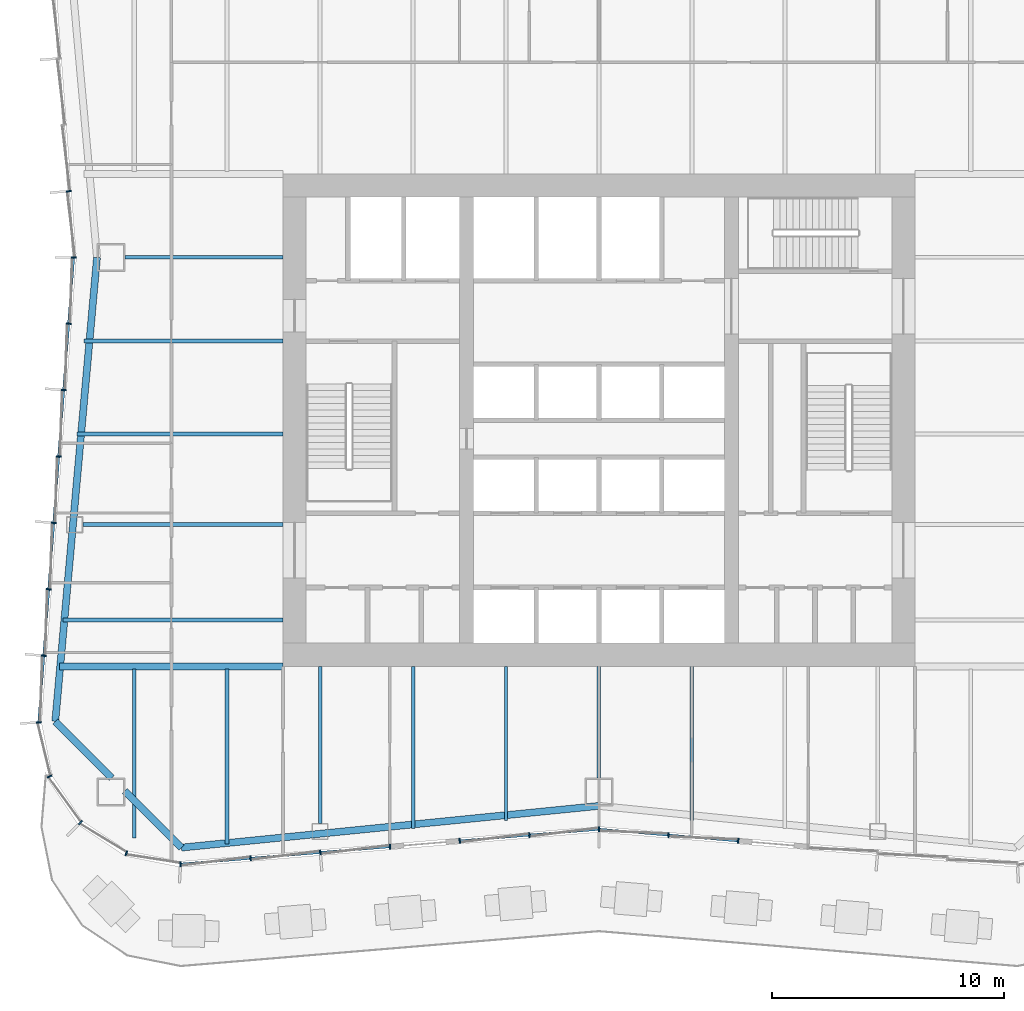
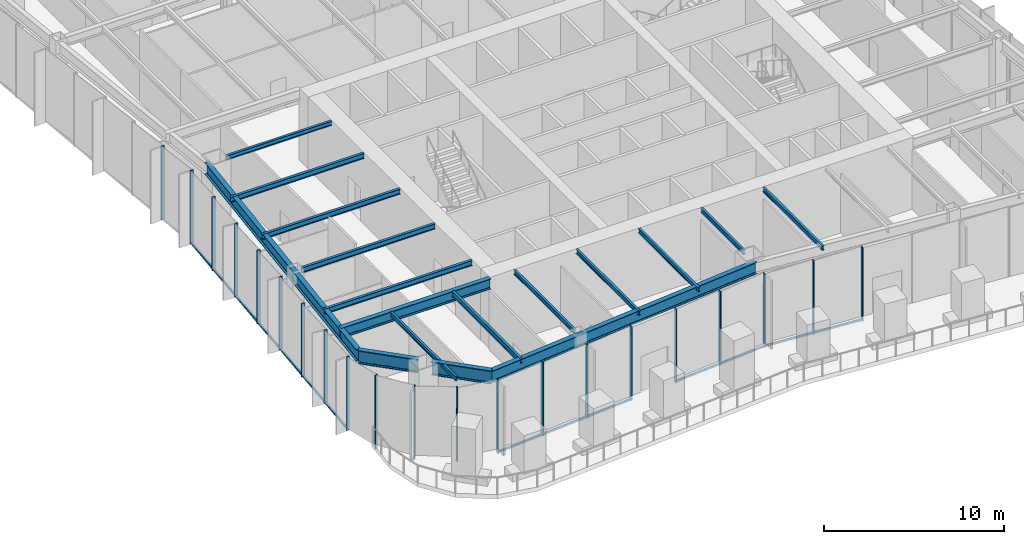
# One storey, part 2 of 15: 25 members, 17 beams, 3 elements without a shape of their own.
"""IFC4 building model written with IfcOpenShell, lengths in metres."""

from ifc_helpers import new_model, si_unit, direction, frame, origin, origin_2d, place, context, subcontext, project, spatial, rectangle, i_section, extrude, material, material_profile, profile_set, type_object, element, aggregate, save


model = new_model("IFC4")

# Units and contexts
model_context = context("Model", 3, precision=1e-05, world=origin(), true_north=direction((0.0, 1.0)))
body_context = subcontext(model_context, "Body", "Model", "MODEL_VIEW")
ifc_project = project(units=[si_unit("LENGTHUNIT", "METRE"), si_unit("AREAUNIT", "SQUARE_METRE"), si_unit("VOLUMEUNIT", "CUBIC_METRE"), si_unit("PLANEANGLEUNIT", "RADIAN"), si_unit("MASSUNIT", "GRAM", prefix="KILO")], contexts=[model_context])

# Site, building, storey
site_placement = place(None, origin())
site = spatial("IfcSite", under=ifc_project, at=site_placement, CompositionType="ELEMENT")
building_placement = place(site_placement, origin())
building = spatial("IfcBuilding", under=site, at=building_placement, Name="Verdant Reach Tower", CompositionType="ELEMENT")
storey_placement = place(building_placement, frame((0.0, 0.0, 121.0)))
storey = spatial("IfcBuildingStorey", under=building, at=storey_placement, Name="L27", CompositionType="ELEMENT", Elevation=121.0)

# Curtain wall, members
ifc_material_1 = material(Name="Anodised aluminium", Category="aluminium")
curtain_wall_type = type_object("IfcCurtainWallType", Name="EN-CW SYSTEM Z2", PredefinedType="NOTDEFINED", material=ifc_material_1)
curtain_wall_1_placement = place(storey_placement, origin())
curtain_wall_1 = element("IfcCurtainWall", 1, at=curtain_wall_1_placement, inside=storey, type_object=curtain_wall_type, Name="Curtain wall west, L27", PredefinedType="NOTDEFINED")
ifc_material_profile_1 = material_profile(ifc_material_1, rectangle(XDim=0.2119140625, YDim=0.06396484375, at=origin_2d()), Name="Mullion 64x212")
ifc_profile_set_1 = profile_set([ifc_material_profile_1], Name="Anodised aluminium")
member_type_1 = type_object("IfcMemberType", Name="EN-MULLION Z2", PredefinedType="MULLION", material=ifc_profile_set_1)
member_1_placement = place(storey_placement, frame((-22.820068359375, 37.84912109375, -0.35009765625), z_axis=(0.0, 0.0, 1.0), x_axis=(-0.997199309888, -0.074789948245, 0.0)))
member_1 = element("IfcMember", 2, at=member_1_placement, type_object=member_type_1, Name="Mullion west face part 1 7, L27", PredefinedType="MULLION", context=body_context, shape_type="SweptSolid", body=[
    extrude(rectangle(XDim=0.2119140625, YDim=0.06396484375, at=origin_2d()), origin(), (0.0, 0.0, 1.0), 5.0),
])
member_2_placement = place(storey_placement, frame((-22.60595703125, 35.0, -0.35009765625), z_axis=(0.0, 0.0, 1.0), x_axis=(-1.0, 0.0, 0.0)))
member_2 = element("IfcMember", 3, at=member_2_placement, type_object=member_type_1, Name="Mullion west face part 2 1, L27", PredefinedType="MULLION", context=body_context, shape_type="SweptSolid", body=[
    extrude(rectangle(XDim=0.2119140625, YDim=0.06396484375, at=origin_2d()), origin(), (0.0, 0.0, 1.0), 5.0),
])
member_3_placement = place(storey_placement, frame((-22.820068359375, 32.15087890625, -0.35009765625), z_axis=(0.0, 0.0, 1.0), x_axis=(-0.997199309888, 0.074789948245, 0.0)))
member_3 = element("IfcMember", 4, at=member_3_placement, type_object=member_type_1, Name="Mullion west face part 2 2, L27", PredefinedType="MULLION", context=body_context, shape_type="SweptSolid", body=[
    extrude(rectangle(XDim=0.2119140625, YDim=0.06396484375, at=origin_2d()), origin(), (0.0, 0.0, 1.0), 5.0),
])
member_4_placement = place(storey_placement, frame((-23.0341796875, 29.293701171875, -0.35009765625), z_axis=(0.0, 0.0, 1.0), x_axis=(-0.997199309888, 0.074789948245, 0.0)))
member_4 = element("IfcMember", 5, at=member_4_placement, type_object=member_type_1, Name="Mullion west face part 2 3, L27", PredefinedType="MULLION", context=body_context, shape_type="SweptSolid", body=[
    extrude(rectangle(XDim=0.2119140625, YDim=0.06396484375, at=origin_2d()), origin(), (0.0, 0.0, 1.0), 5.0),
])
member_5_placement = place(storey_placement, frame((-23.24853515625, 26.4365234375, -0.35009765625), z_axis=(0.0, 0.0, 1.0), x_axis=(-0.997199309888, 0.074789948245, 0.0)))
member_5 = element("IfcMember", 6, at=member_5_placement, type_object=member_type_1, Name="Mullion west face part 2 4, L27", PredefinedType="MULLION", context=body_context, shape_type="SweptSolid", body=[
    extrude(rectangle(XDim=0.2119140625, YDim=0.06396484375, at=origin_2d()), origin(), (0.0, 0.0, 1.0), 5.0),
])
member_6_placement = place(storey_placement, frame((-23.462890625, 23.579345703125, -0.35009765625), z_axis=(0.0, 0.0, 1.0), x_axis=(-0.997199309888, 0.074789948245, 0.0)))
member_6 = element("IfcMember", 7, at=member_6_placement, type_object=member_type_1, Name="Mullion west face part 2 5, L27", PredefinedType="MULLION", context=body_context, shape_type="SweptSolid", body=[
    extrude(rectangle(XDim=0.2119140625, YDim=0.06396484375, at=origin_2d()), origin(), (0.0, 0.0, 1.0), 5.0),
])
member_7_placement = place(storey_placement, frame((-23.67724609375, 20.72216796875, -0.35009765625), z_axis=(0.0, 0.0, 1.0), x_axis=(-0.997199309888, 0.074789948245, 0.0)))
member_7 = element("IfcMember", 8, at=member_7_placement, type_object=member_type_1, Name="Mullion west face part 2 6, L27", PredefinedType="MULLION", context=body_context, shape_type="SweptSolid", body=[
    extrude(rectangle(XDim=0.2119140625, YDim=0.06396484375, at=origin_2d()), origin(), (0.0, 0.0, 1.0), 5.0),
])
member_8_placement = place(storey_placement, frame((-23.891357421875, 17.864990234375, -0.35009765625), z_axis=(0.0, 0.0, 1.0), x_axis=(-0.997199309888, 0.074789948245, 0.0)))
member_8 = element("IfcMember", 9, at=member_8_placement, type_object=member_type_1, Name="Mullion west face part 2 7, L27", PredefinedType="MULLION", context=body_context, shape_type="SweptSolid", body=[
    extrude(rectangle(XDim=0.2119140625, YDim=0.06396484375, at=origin_2d()), origin(), (0.0, 0.0, 1.0), 5.0),
])

curtain_wall_2_placement = place(storey_placement, origin())
curtain_wall_2 = element("IfcCurtainWall", 10, at=curtain_wall_2_placement, inside=storey, type_object=curtain_wall_type, Name="Curtain wall south-west corner, L27", PredefinedType="NOTDEFINED")
member_9_placement = place(storey_placement, frame((-24.105712890625, 14.99365234375, -0.35009765625), z_axis=(0.0, 0.0, 1.0), x_axis=(-0.998155887542, -0.060702752526, 0.0)))
member_9 = element("IfcMember", 11, at=member_9_placement, type_object=member_type_1, Name="Mullion south-west corner 1, L27", PredefinedType="MULLION", context=body_context, shape_type="SweptSolid", body=[
    extrude(rectangle(XDim=0.2119140625, YDim=0.06396484375, at=origin_2d()), origin(), (0.0, 0.0, 1.0), 5.0),
])
member_10_placement = place(storey_placement, frame((-23.64111328125, 12.663330078125, -0.35009765625), z_axis=(0.0, 0.0, 1.0), x_axis=(-0.923875215753, -0.382693853776, 0.0)))
member_10 = element("IfcMember", 12, at=member_10_placement, type_object=member_type_1, Name="Mullion south-west corner 2, L27", PredefinedType="MULLION", context=body_context, shape_type="SweptSolid", body=[
    extrude(rectangle(XDim=0.2119140625, YDim=0.06396484375, at=origin_2d()), origin(), (0.0, 0.0, 1.0), 5.0),
])
member_11_placement = place(storey_placement, frame((-22.317626953125, 10.682373046875, -0.35009765625), z_axis=(0.0, 0.0, 1.0), x_axis=(-0.707106781187, -0.707106781187, 0.0)))
member_11 = element("IfcMember", 13, at=member_11_placement, type_object=member_type_1, Name="Mullion south-west corner 3, L27", PredefinedType="MULLION", context=body_context, shape_type="SweptSolid", body=[
    extrude(rectangle(XDim=0.2119140625, YDim=0.06396484375, at=origin_2d()), origin(), (0.0, 0.0, 1.0), 5.0),
])
member_12_placement = place(storey_placement, frame((-20.336669921875, 9.35888671875, -0.35009765625), z_axis=(0.0, 0.0, 1.0), x_axis=(-0.382693853776, -0.923875215753, 0.0)))
member_12 = element("IfcMember", 14, at=member_12_placement, type_object=member_type_1, Name="Mullion south-west corner 4, L27", PredefinedType="MULLION", context=body_context, shape_type="SweptSolid", body=[
    extrude(rectangle(XDim=0.2119140625, YDim=0.06396484375, at=origin_2d()), origin(), (0.0, 0.0, 1.0), 5.0),
])
aggregate(curtain_wall_2, [member_9, member_10, member_11, member_12])

curtain_wall_3_placement = place(storey_placement, origin())
curtain_wall_3 = element("IfcCurtainWall", 15, at=curtain_wall_3_placement, inside=storey, type_object=curtain_wall_type, Name="Curtain wall south, L27", PredefinedType="NOTDEFINED")
member_13_placement = place(storey_placement, frame((-18.006103515625, 8.894287109375, -0.35009765625), z_axis=(0.0, 0.0, 1.0), x_axis=(-0.056569187765, -0.998398681387, 0.0)))
member_13 = element("IfcMember", 16, at=member_13_placement, type_object=member_type_1, Name="Mullion south face part 1 1, L27", PredefinedType="MULLION", context=body_context, shape_type="SweptSolid", body=[
    extrude(rectangle(XDim=0.2119140625, YDim=0.06396484375, at=origin_2d()), origin(), (0.0, 0.0, 1.0), 5.0),
])
member_14_placement = place(storey_placement, frame((-14.9912109375, 9.144287109375, -0.35009765625), z_axis=(0.0, 0.0, 1.0), x_axis=(0.083045479859, -0.996545758244, 0.0)))
member_14 = element("IfcMember", 17, at=member_14_placement, type_object=member_type_1, Name="Mullion south face part 1 2, L27", PredefinedType="MULLION", context=body_context, shape_type="SweptSolid", body=[
    extrude(rectangle(XDim=0.2119140625, YDim=0.06396484375, at=origin_2d()), origin(), (0.0, 0.0, 1.0), 5.0),
])
member_15_placement = place(storey_placement, frame((-11.9912109375, 9.394287109375, -0.35009765625), z_axis=(0.0, 0.0, 1.0), x_axis=(0.083045479859, -0.996545758244, 0.0)))
member_15 = element("IfcMember", 18, at=member_15_placement, type_object=member_type_1, Name="Mullion south face part 1 3, L27", PredefinedType="MULLION", context=body_context, shape_type="SweptSolid", body=[
    extrude(rectangle(XDim=0.2119140625, YDim=0.06396484375, at=origin_2d()), origin(), (0.0, 0.0, 1.0), 5.0),
])
member_16_placement = place(storey_placement, frame((-8.9912109375, 9.644287109375, -0.35009765625), z_axis=(0.0, 0.0, 1.0), x_axis=(0.083045479859, -0.996545758244, 0.0)))
member_16 = element("IfcMember", 19, at=member_16_placement, type_object=member_type_1, Name="Mullion south face part 1 4, L27", PredefinedType="MULLION", context=body_context, shape_type="SweptSolid", body=[
    extrude(rectangle(XDim=0.2119140625, YDim=0.06396484375, at=origin_2d()), origin(), (0.0, 0.0, 1.0), 5.0),
])
member_17_placement = place(storey_placement, frame((-5.9912109375, 9.894287109375, -0.35009765625), z_axis=(0.0, 0.0, 1.0), x_axis=(0.083045479859, -0.996545758244, 0.0)))
member_17 = element("IfcMember", 20, at=member_17_placement, type_object=member_type_1, Name="Mullion south face part 1 5, L27", PredefinedType="MULLION", context=body_context, shape_type="SweptSolid", body=[
    extrude(rectangle(XDim=0.2119140625, YDim=0.06396484375, at=origin_2d()), origin(), (0.0, 0.0, 1.0), 5.0),
])
member_18_placement = place(storey_placement, frame((-2.9912109375, 10.144287109375, -0.35009765625), z_axis=(0.0, 0.0, 1.0), x_axis=(0.083045479859, -0.996545758244, 0.0)))
member_18 = element("IfcMember", 21, at=member_18_placement, type_object=member_type_1, Name="Mullion south face part 1 6, L27", PredefinedType="MULLION", context=body_context, shape_type="SweptSolid", body=[
    extrude(rectangle(XDim=0.2119140625, YDim=0.06396484375, at=origin_2d()), origin(), (0.0, 0.0, 1.0), 5.0),
])
member_19_placement = place(storey_placement, frame((0.0, 10.39404296875, -0.35009765625), z_axis=(0.0, 0.0, 1.0), x_axis=(0.0, -1.0, 0.0)))
member_19 = element("IfcMember", 22, at=member_19_placement, type_object=member_type_1, Name="Mullion south face part 2 1, L27", PredefinedType="MULLION", context=body_context, shape_type="SweptSolid", body=[
    extrude(rectangle(XDim=0.2119140625, YDim=0.06396484375, at=origin_2d()), origin(), (0.0, 0.0, 1.0), 5.0),
])
member_20_placement = place(storey_placement, frame((2.9912109375, 10.144287109375, -0.35009765625), z_axis=(0.0, 0.0, 1.0), x_axis=(-0.083045479859, -0.996545758244, 0.0)))
member_20 = element("IfcMember", 23, at=member_20_placement, type_object=member_type_1, Name="Mullion south face part 2 2, L27", PredefinedType="MULLION", context=body_context, shape_type="SweptSolid", body=[
    extrude(rectangle(XDim=0.2119140625, YDim=0.06396484375, at=origin_2d()), origin(), (0.0, 0.0, 1.0), 5.0),
])
member_21_placement = place(storey_placement, frame((5.9912109375, 9.894287109375, -0.35009765625), z_axis=(0.0, 0.0, 1.0), x_axis=(-0.083045479859, -0.996545758244, 0.0)))
member_21 = element("IfcMember", 24, at=member_21_placement, type_object=member_type_1, Name="Mullion south face part 2 3, L27", PredefinedType="MULLION", context=body_context, shape_type="SweptSolid", body=[
    extrude(rectangle(XDim=0.2119140625, YDim=0.06396484375, at=origin_2d()), origin(), (0.0, 0.0, 1.0), 5.0),
])

# Member
ifc_material_profile_2 = material_profile(ifc_material_1, rectangle(XDim=0.10009765625, YDim=0.1240234375, at=origin_2d()), Name="Transom 124x100")
ifc_profile_set_2 = profile_set([ifc_material_profile_2], Name="Anodised aluminium")
member_type_2 = type_object("IfcMemberType", Name="EN-TRANSOM Z2", PredefinedType="USERDEFINED", material=ifc_profile_set_2)
member_22_placement = place(storey_placement, frame((-22.6083984375, 34.968017578125, -0.2880859375), z_axis=(-0.07476111665, -0.997201471839, 0.0), x_axis=(0.997201471839, -0.07476111665, 0.0)))
member_22 = element("IfcMember", 25, at=member_22_placement, type_object=member_type_2, Name="Transom west face part 2 1.1, L27", ObjectType="TRANSOM", PredefinedType="USERDEFINED", context=body_context, shape_type="SweptSolid", body=[
    extrude(rectangle(XDim=0.10009765625, YDim=0.1240234375, at=origin_2d()), origin(), (0.0, 0.0, 1.0), 19.99853515625),
])

aggregate(curtain_wall_1, [member_1, member_2, member_3, member_4, member_5, member_6, member_7, member_8, member_22])

member_23_placement = place(storey_placement, frame((-17.97412109375, 8.896728515625, -0.2880859375), z_axis=(0.996555312031, 0.08293075463, 0.0), x_axis=(-0.08293075463, 0.996555312031, 0.0)))
member_23 = element("IfcMember", 26, at=member_23_placement, type_object=member_type_2, Name="Transom south face part 1 1.1, L27", ObjectType="TRANSOM", PredefinedType="USERDEFINED", context=body_context, shape_type="SweptSolid", body=[
    extrude(rectangle(XDim=0.10009765625, YDim=0.1240234375, at=origin_2d()), origin(), (0.0, 0.0, 1.0), 8.98193359375),
])

member_24_placement = place(storey_placement, frame((-5.959228515625, 9.89697265625, -0.2880859375), z_axis=(0.996539527619, 0.083120213503, 0.0), x_axis=(-0.083120213503, 0.996539527619, 0.0)))
member_24 = element("IfcMember", 27, at=member_24_placement, type_object=member_type_2, Name="Transom south face part 1 2.1, L27", ObjectType="TRANSOM", PredefinedType="USERDEFINED", context=body_context, shape_type="SweptSolid", body=[
    extrude(rectangle(XDim=0.10009765625, YDim=0.1240234375, at=origin_2d()), origin(), (0.0, 0.0, 1.0), 5.94775390625),
])

member_25_placement = place(storey_placement, frame((0.031982421875, 10.391357421875, -0.2880859375), z_axis=(0.996539527619, -0.083120213503, 0.0), x_axis=(0.083120213503, 0.996539527619, 0.0)))
member_25 = element("IfcMember", 28, at=member_25_placement, type_object=member_type_2, Name="Transom south face part 2 1.1, L27", ObjectType="TRANSOM", PredefinedType="USERDEFINED", context=body_context, shape_type="SweptSolid", body=[
    extrude(rectangle(XDim=0.10009765625, YDim=0.1240234375, at=origin_2d()), origin(), (0.0, 0.0, 1.0), 5.94775390625),
])

aggregate(curtain_wall_3, [member_13, member_14, member_15, member_16, member_17, member_18, member_23, member_24, member_19, member_20, member_21, member_25])

# Beams
ifc_material_2 = material(Name="Steel S355", Category="steel")
ifc_material_profile_3 = material_profile(ifc_material_2, i_section(OverallWidth=0.300048828125, OverallDepth=0.699951171875, WebThickness=0.01708984375, FlangeThickness=0.031982421875, FilletRadius=0.027099609375, at=origin_2d()), Name="HEB 700")
ifc_profile_set_3 = profile_set([ifc_material_profile_3], Name="Steel S355")
beam_type_1 = type_object("IfcBeamType", Name="ST-BEAM-HEB700", PredefinedType="BEAM", material=ifc_profile_set_3)
beam_1_placement = place(storey_placement, frame((-13.60009765625, 17.39990234375, 4.52001953125), z_axis=(-1.0, 0.0, 0.0), x_axis=(0.0, -1.0, 0.0)))
element("IfcBeam", 29, at=beam_1_placement, inside=storey, type_object=beam_type_1, Name="Trimmer beam, L27", PredefinedType="BEAM", context=body_context, shape_type="SweptSolid", body=[
    extrude(i_section(OverallWidth=0.300048828125, OverallDepth=0.699951171875, WebThickness=0.01708984375, FlangeThickness=0.031982421875, FilletRadius=0.027099609375, at=origin_2d()), origin(), (0.0, 0.0, 1.0), 9.6181640625),
])
ifc_material_profile_4 = material_profile(ifc_material_2, i_section(OverallWidth=0.14990234375, OverallDepth=0.300048828125, WebThickness=0.007080078125, FlangeThickness=0.0107421875, FilletRadius=0.014892578125, at=origin_2d()), Name="IPE 300")
ifc_profile_set_4 = profile_set([ifc_material_profile_4], Name="Steel S355")
beam_type_2 = type_object("IfcBeamType", Name="ST-JOIST-IPE300", PredefinedType="JOIST", material=ifc_profile_set_4)
beam_2_placement = place(storey_placement, frame((-20.0, 17.300048828125, 4.719970703125), z_axis=(0.0, -1.0, 0.0), x_axis=(1.0, 0.0, 0.0)))
element("IfcBeam", 30, at=beam_2_placement, inside=storey, type_object=beam_type_2, Name="Floor joist, L27", PredefinedType="JOIST", context=body_context, shape_type="SweptSolid", body=[
    extrude(i_section(OverallWidth=0.14990234375, OverallDepth=0.300048828125, WebThickness=0.007080078125, FlangeThickness=0.0107421875, FilletRadius=0.014892578125, at=origin_2d()), origin(), (0.0, 0.0, 1.0), 7.29052734375),
])
beam_3_placement = place(storey_placement, frame((-12.0, 17.39990234375, 4.719970703125), z_axis=(0.0, -1.0, 0.0), x_axis=(1.0, 0.0, 0.0)))
element("IfcBeam", 31, at=beam_3_placement, inside=storey, type_object=beam_type_2, Name="Floor joist, L27", PredefinedType="JOIST", context=body_context, shape_type="SweptSolid", body=[
    extrude(i_section(OverallWidth=0.14990234375, OverallDepth=0.300048828125, WebThickness=0.007080078125, FlangeThickness=0.0107421875, FilletRadius=0.014892578125, at=origin_2d()), origin(), (0.0, 0.0, 1.0), 6.75),
])
beam_4_placement = place(storey_placement, frame((-8.0, 17.39990234375, 4.719970703125), z_axis=(0.0, -1.0, 0.0), x_axis=(1.0, 0.0, 0.0)))
element("IfcBeam", 32, at=beam_4_placement, inside=storey, type_object=beam_type_2, Name="Floor joist, L27", PredefinedType="JOIST", context=body_context, shape_type="SweptSolid", body=[
    extrude(i_section(OverallWidth=0.14990234375, OverallDepth=0.300048828125, WebThickness=0.007080078125, FlangeThickness=0.0107421875, FilletRadius=0.014892578125, at=origin_2d()), origin(), (0.0, 0.0, 1.0), 6.964599609375),
])
beam_5_placement = place(storey_placement, frame((-4.0, 17.39990234375, 4.719970703125), z_axis=(0.0, -1.0, 0.0), x_axis=(1.0, 0.0, 0.0)))
element("IfcBeam", 33, at=beam_5_placement, inside=storey, type_object=beam_type_2, Name="Floor joist, L27", PredefinedType="JOIST", context=body_context, shape_type="SweptSolid", body=[
    extrude(i_section(OverallWidth=0.14990234375, OverallDepth=0.300048828125, WebThickness=0.007080078125, FlangeThickness=0.0107421875, FilletRadius=0.014892578125, at=origin_2d()), origin(), (0.0, 0.0, 1.0), 6.631103515625),
])
beam_6_placement = place(storey_placement, frame((0.0, 17.39990234375, 4.719970703125), z_axis=(0.0, -1.0, 0.0), x_axis=(1.0, 0.0, 0.0)))
element("IfcBeam", 34, at=beam_6_placement, inside=storey, type_object=beam_type_2, Name="Floor joist, L27", PredefinedType="JOIST", context=body_context, shape_type="SweptSolid", body=[
    extrude(i_section(OverallWidth=0.14990234375, OverallDepth=0.300048828125, WebThickness=0.007080078125, FlangeThickness=0.0107421875, FilletRadius=0.014892578125, at=origin_2d()), origin(), (0.0, 0.0, 1.0), 4.7998046875),
])
beam_7_placement = place(storey_placement, frame((4.0, 17.39990234375, 4.719970703125), z_axis=(0.0, -1.0, 0.0), x_axis=(1.0, 0.0, 0.0)))
element("IfcBeam", 35, at=beam_7_placement, inside=storey, type_object=beam_type_2, Name="Floor joist, L27", PredefinedType="JOIST", context=body_context, shape_type="SweptSolid", body=[
    extrude(i_section(OverallWidth=0.14990234375, OverallDepth=0.300048828125, WebThickness=0.007080078125, FlangeThickness=0.0107421875, FilletRadius=0.014892578125, at=origin_2d()), origin(), (0.0, 0.0, 1.0), 6.631103515625),
])
beam_8_placement = place(storey_placement, frame((-13.60009765625, 35.0, 4.719970703125), z_axis=(-1.0, 0.0, 0.0), x_axis=(0.0, -1.0, 0.0)))
element("IfcBeam", 36, at=beam_8_placement, inside=storey, type_object=beam_type_2, Name="Floor joist, L27", PredefinedType="JOIST", context=body_context, shape_type="SweptSolid", body=[
    extrude(i_section(OverallWidth=0.14990234375, OverallDepth=0.300048828125, WebThickness=0.007080078125, FlangeThickness=0.0107421875, FilletRadius=0.014892578125, at=origin_2d()), origin(), (0.0, 0.0, 1.0), 6.7998046875),
])
ifc_material_profile_5 = material_profile(ifc_material_2, i_section(OverallWidth=0.169921875, OverallDepth=0.360107421875, WebThickness=0.008056640625, FlangeThickness=0.0126953125, FilletRadius=0.01806640625, at=origin_2d()), Name="IPE 360")
ifc_profile_set_5 = profile_set([ifc_material_profile_5], Name="Steel S355")
beam_type_3 = type_object("IfcBeamType", Name="ST-JOIST-IPE360", PredefinedType="JOIST", material=ifc_profile_set_5)
beam_9_placement = place(storey_placement, frame((-16.0, 17.300048828125, 4.68994140625), z_axis=(0.0, -1.0, 0.0), x_axis=(1.0, 0.0, 0.0)))
element("IfcBeam", 37, at=beam_9_placement, inside=storey, type_object=beam_type_3, Name="Floor joist, L27", PredefinedType="JOIST", context=body_context, shape_type="SweptSolid", body=[
    extrude(i_section(OverallWidth=0.169921875, OverallDepth=0.360107421875, WebThickness=0.008056640625, FlangeThickness=0.0126953125, FilletRadius=0.01806640625, at=origin_2d()), origin(), (0.0, 0.0, 1.0), 7.53125),
])
beam_10_placement = place(storey_placement, frame((-13.60009765625, 19.39990234375, 4.68994140625), z_axis=(-1.0, 0.0, 0.0), x_axis=(0.0, -1.0, 0.0)))
element("IfcBeam", 38, at=beam_10_placement, inside=storey, type_object=beam_type_3, Name="Floor joist, L27", PredefinedType="JOIST", context=body_context, shape_type="SweptSolid", body=[
    extrude(i_section(OverallWidth=0.169921875, OverallDepth=0.360107421875, WebThickness=0.008056640625, FlangeThickness=0.0126953125, FilletRadius=0.01806640625, at=origin_2d()), origin(), (0.0, 0.0, 1.0), 9.46826171875),
])
beam_11_placement = place(storey_placement, frame((-13.60009765625, 23.5, 4.68994140625), z_axis=(-1.0, 0.0, 0.0), x_axis=(0.0, -1.0, 0.0)))
element("IfcBeam", 39, at=beam_11_placement, inside=storey, type_object=beam_type_3, Name="Floor joist, L27", PredefinedType="JOIST", context=body_context, shape_type="SweptSolid", body=[
    extrude(i_section(OverallWidth=0.169921875, OverallDepth=0.360107421875, WebThickness=0.008056640625, FlangeThickness=0.0126953125, FilletRadius=0.01806640625, at=origin_2d()), origin(), (0.0, 0.0, 1.0), 8.6123046875),
])
beam_12_placement = place(storey_placement, frame((-13.60009765625, 27.39990234375, 4.68994140625), z_axis=(-1.0, 0.0, 0.0), x_axis=(0.0, -1.0, 0.0)))
element("IfcBeam", 40, at=beam_12_placement, inside=storey, type_object=beam_type_3, Name="Floor joist, L27", PredefinedType="JOIST", context=body_context, shape_type="SweptSolid", body=[
    extrude(i_section(OverallWidth=0.169921875, OverallDepth=0.360107421875, WebThickness=0.008056640625, FlangeThickness=0.0126953125, FilletRadius=0.01806640625, at=origin_2d()), origin(), (0.0, 0.0, 1.0), 8.8681640625),
])
beam_13_placement = place(storey_placement, frame((-13.60009765625, 31.39990234375, 4.68994140625), z_axis=(-1.0, 0.0, 0.0), x_axis=(0.0, -1.0, 0.0)))
element("IfcBeam", 41, at=beam_13_placement, inside=storey, type_object=beam_type_3, Name="Floor joist, L27", PredefinedType="JOIST", context=body_context, shape_type="SweptSolid", body=[
    extrude(i_section(OverallWidth=0.169921875, OverallDepth=0.360107421875, WebThickness=0.008056640625, FlangeThickness=0.0126953125, FilletRadius=0.01806640625, at=origin_2d()), origin(), (0.0, 0.0, 1.0), 8.568115234375),
])
ifc_material_profile_6 = material_profile(ifc_material_2, i_section(OverallWidth=0.300048828125, OverallDepth=0.800048828125, WebThickness=0.017578125, FlangeThickness=0.032958984375, FilletRadius=0.030029296875, at=origin_2d()), Name="HEB 800")
ifc_profile_set_6 = profile_set([ifc_material_profile_6], Name="Steel S355")
beam_type_4 = type_object("IfcBeamType", Name="ST-SPANDREL-HEB800", PredefinedType="SPANDREL", material=ifc_profile_set_6)
beam_14_placement = place(storey_placement, frame((0.0, 11.39990234375, 4.469970703125), z_axis=(-0.995046289869, -0.099412680371, 0.0), x_axis=(0.099412680371, -0.995046289869, 0.0)))
element("IfcBeam", 42, at=beam_14_placement, inside=storey, type_object=beam_type_4, Name="Edge beam, L27", PredefinedType="SPANDREL", context=body_context, shape_type="SweptSolid", body=[
    extrude(i_section(OverallWidth=0.300048828125, OverallDepth=0.800048828125, WebThickness=0.017578125, FlangeThickness=0.032958984375, FilletRadius=0.030029296875, at=origin_2d()), origin(), (0.0, 0.0, 1.0), 18.05517578125),
])
beam_15_placement = place(storey_placement, frame((-23.3955078125, 15.036865234375, 4.469970703125), z_axis=(0.089574749266, 0.995980102358, 0.0), x_axis=(-0.995980102358, 0.089574749266, 0.0)))
element("IfcBeam", 43, at=beam_15_placement, inside=storey, type_object=beam_type_4, Name="Edge beam, L27", PredefinedType="SPANDREL", context=body_context, shape_type="SweptSolid", body=[
    extrude(i_section(OverallWidth=0.300048828125, OverallDepth=0.800048828125, WebThickness=0.017578125, FlangeThickness=0.032958984375, FilletRadius=0.030029296875, at=origin_2d()), origin(), (0.0, 0.0, 1.0), 20.043701171875),
])
ifc_material_profile_7 = material_profile(ifc_material_2, i_section(OverallWidth=0.302001953125, OverallDepth=0.909912109375, WebThickness=0.02099609375, FlangeThickness=0.0400390625, FilletRadius=0.030029296875, at=origin_2d()), Name="HEM 900")
ifc_profile_set_7 = profile_set([ifc_material_profile_7], Name="Steel S355")
beam_type_5 = type_object("IfcBeamType", Name="ST-SPANDREL-HEM900", PredefinedType="SPANDREL", material=ifc_profile_set_7)
beam_16_placement = place(storey_placement, frame((-17.9658203125, 9.60498046875, 4.4150390625), z_axis=(-0.70696494852, 0.70724858541, 0.0), x_axis=(-0.70724858541, -0.70696494852, 0.0)))
element("IfcBeam", 44, at=beam_16_placement, inside=storey, type_object=beam_type_5, Name="Edge beam, L27", PredefinedType="SPANDREL", context=body_context, shape_type="SweptSolid", body=[
    extrude(i_section(OverallWidth=0.302001953125, OverallDepth=0.909912109375, WebThickness=0.02099609375, FlangeThickness=0.0400390625, FilletRadius=0.030029296875, at=origin_2d()), origin(), (0.0, 0.0, 1.0), 3.443115234375),
])
beam_17_placement = place(storey_placement, frame((-20.959716796875, 12.60009765625, 4.4150390625), z_axis=(-0.706965048022, 0.707248485948, 0.0), x_axis=(-0.707248485948, -0.706965048022, 0.0)))
element("IfcBeam", 45, at=beam_17_placement, inside=storey, type_object=beam_type_5, Name="Edge beam, L27", PredefinedType="SPANDREL", context=body_context, shape_type="SweptSolid", body=[
    extrude(i_section(OverallWidth=0.302001953125, OverallDepth=0.909912109375, WebThickness=0.02099609375, FlangeThickness=0.0400390625, FilletRadius=0.030029296875, at=origin_2d()), origin(), (0.0, 0.0, 1.0), 3.4453125),
])

save(model, "model.ifc")
